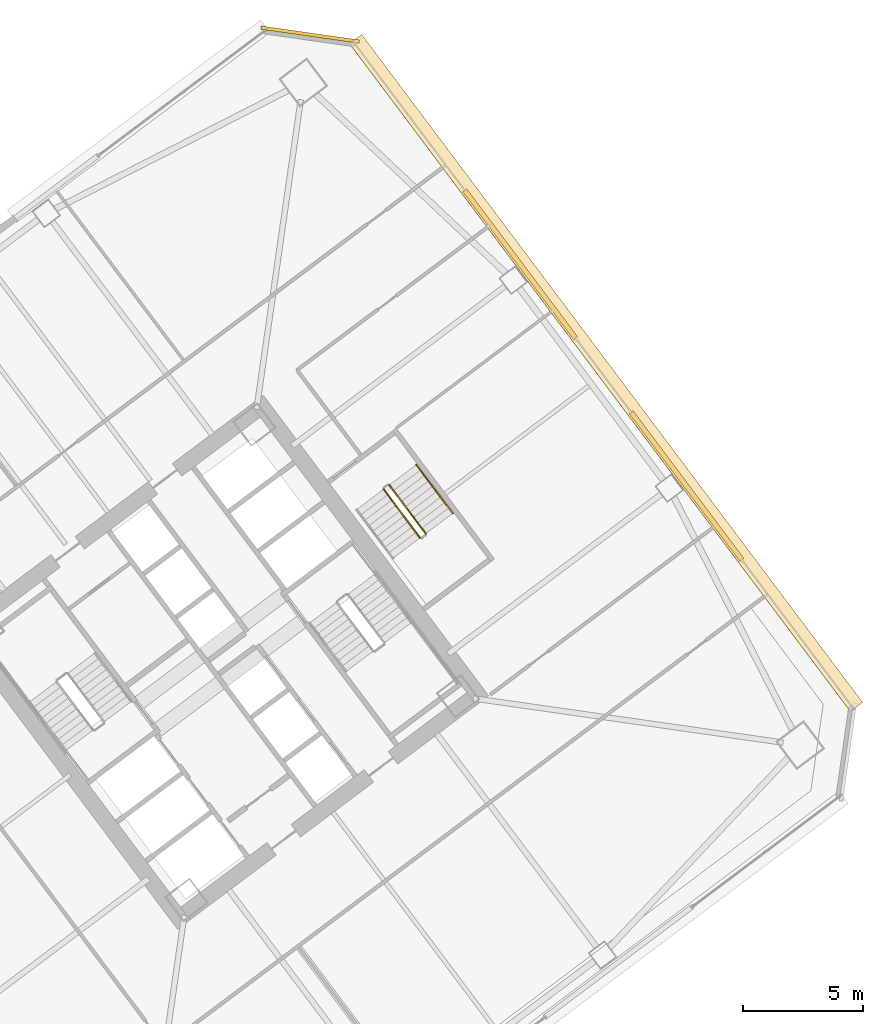
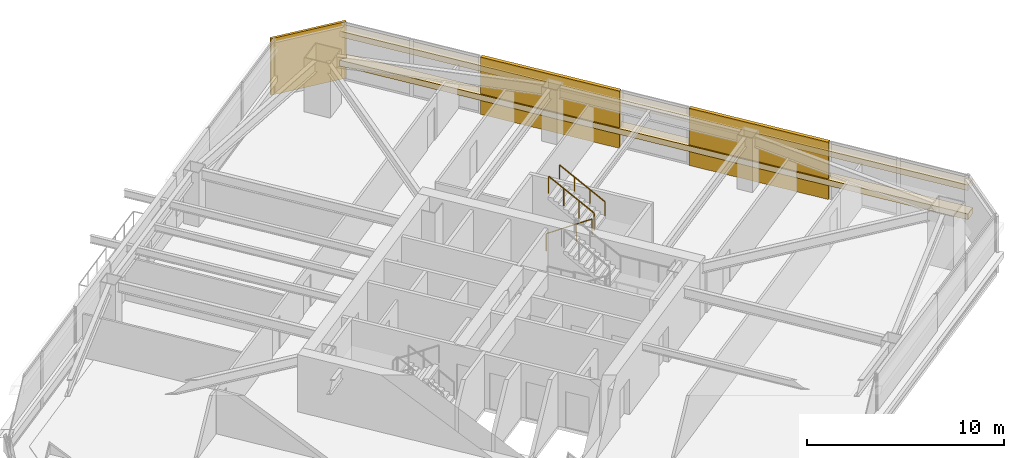
# One storey, part 44 of 44: 5 coverings, 3 railings.
"""IFC4 building model written with IfcOpenShell, lengths in metres."""

from ifc_helpers import new_model, si_unit, direction, frame, origin, origin_2d, place, context, subcontext, project, spatial, rectangle, extrude, material, layer, layer_set, type_object, element, save


model = new_model("IFC4")

# Units and contexts
model_context = context("Model", 3, precision=1e-05, world=origin(), true_north=direction((0.0, 1.0)))
body_context = subcontext(model_context, "Body", "Model", "MODEL_VIEW")
ifc_project = project(units=[si_unit("LENGTHUNIT", "METRE"), si_unit("AREAUNIT", "SQUARE_METRE"), si_unit("VOLUMEUNIT", "CUBIC_METRE"), si_unit("PLANEANGLEUNIT", "RADIAN"), si_unit("MASSUNIT", "GRAM", prefix="KILO")], contexts=[model_context])

# Site, building, storey
site_placement = place(None, origin())
site = spatial("IfcSite", under=ifc_project, at=site_placement, CompositionType="ELEMENT")
building_placement = place(site_placement, origin())
building = spatial("IfcBuilding", under=site, at=building_placement, Name="Tashvorn Skyway Center", CompositionType="ELEMENT")
storey_placement = place(building_placement, frame((0.0, 0.0, 92.050048828125)))
storey = spatial("IfcBuildingStorey", under=building, at=storey_placement, Name="L24", CompositionType="ELEMENT", Elevation=92.050048828125)

# Coverings
ifc_material_1 = material(Name="Precast concrete C40/50", Category="concrete")
ifc_layer_1 = layer(ifc_material_1, 0.199951171875)
ifc_layer_set_1 = layer_set([ifc_layer_1], Name="Precast concrete C40/50")
covering_type_1 = type_object("IfcCoveringType", Name="COV-BRACE-CLAD", PredefinedType="CLADDING", material=ifc_layer_set_1)
for number, where, z_axis, x_axis, name in (
    (1, (126.447998046875, 48.535888671875, 0.0), (0.0, 0.0, 1.0), (0.600000004945, -0.799999996291, 0.0), "Tower 2 L24 East Unitised Curtain Wall Mega-Brace Cladding Band 1"),
    (2, (133.360107421875, 39.320068359375, 0.0), (0.0, 0.0, 1.0), (0.600000004945, -0.799999996291, 0.0), "Tower 2 L24 East Unitised Curtain Wall Mega-Brace Cladding Band 2"),
):
    element("IfcCovering", number, at=place(storey_placement, frame(where, z_axis=z_axis, x_axis=x_axis)), inside=storey, type_object=covering_type_1, Name=name, PredefinedType="CLADDING", context=body_context, shape_type="SweptSolid", body=[
        extrude(rectangle(XDim=7.679931640625, YDim=0.199951171875, at=origin_2d()), origin(), (0.0, 0.0, 1.0), 3.550048828125),
    ])
ifc_material_2 = material(Name="Perforated ceramic-coated bronze aluminium solar screen", Category="aluminium")
ifc_layer_2 = layer(ifc_material_2, 0.85009765625)
ifc_layer_set_2 = layer_set([ifc_layer_2], Name="Perforated ceramic-coated bronze aluminium solar screen")
covering_type_2 = type_object("IfcCoveringType", Name="COV-SOLAR-BAND", PredefinedType="CLADDING", material=ifc_layer_set_2)
for number, where, z_axis, x_axis, name in (
    (3, (130.01611328125, 44.011962890625, 0.919921875), (0.0, 0.0, 1.0), (0.600000004945, -0.799999996291, 0.0), "L24 Perforated Ceramic-Metal Solar Screen Louvre Band East 1"),
    (4, (130.01611328125, 44.011962890625, 2.7197265625), (0.0, 0.0, 1.0), (0.600000004945, -0.799999996291, 0.0), "L24 Perforated Ceramic-Metal Solar Screen Louvre Band East 2"),
):
    element("IfcCovering", number, at=place(storey_placement, frame(where, z_axis=z_axis, x_axis=x_axis)), inside=storey, type_object=covering_type_2, Name=name, PredefinedType="CLADDING", context=body_context, shape_type="SweptSolid", body=[
        extrude(rectangle(XDim=34.679931640625, YDim=0.639892578125, at=origin_2d()), origin(), (0.0, 0.0, 1.0), 0.360107421875),
    ])
ifc_layer_3 = layer(ifc_material_1, 0.35009765625)
ifc_layer_set_3 = layer_set([ifc_layer_3], Name="Precast concrete C40/50")
covering_type_3 = type_object("IfcCoveringType", Name="COV-STONE-TRIM", PredefinedType="CLADDING", material=ifc_layer_set_3)
covering_placement = place(storey_placement, frame((117.72412109375, 58.068115234375, 0.02001953125), z_axis=(0.0, 0.0, 1.0), x_axis=(0.989949494535, -0.141421350118, 0.0)))
element("IfcCovering", 5, at=covering_placement, inside=storey, type_object=covering_type_3, Name="Tower 2 L24 NE Mojave Limestone Corner Quoin", PredefinedType="CLADDING", context=body_context, shape_type="SweptSolid", body=[
    extrude(rectangle(XDim=4.119873046875, YDim=0.139892578125, at=origin_2d()), origin(), (0.0, 0.0, 1.0), 3.510009765625),
])

# Railings
ifc_material_3 = material(Name="Brushed stainless steel 316", Category="steel")
railing_type_1 = type_object("IfcRailingType", Name="RAIL-HAND-920", PredefinedType="HANDRAIL", material=ifc_material_3)
railing_1_placement = place(storey_placement, frame((123.64794921875, 38.18603515625, 1.952392578125)))
element("IfcRailing", 6, at=railing_1_placement, inside=storey, type_object=railing_type_1, Name="L24 ST-T2-3 stair handrail 2", PredefinedType="HANDRAIL", context=body_context, shape_type="SweptSolid", body=[
    extrude(rectangle(XDim=0.048095703125, YDim=0.048095703125, at=origin_2d()), frame((0.0, 0.0, 0.8759765625), z_axis=(-0.50674661542, 0.675634878657, 0.535467439255), x_axis=(-0.79998837352, -0.60001550166, 0.0)), (0.0, 0.0, 1.0), 2.983642578125),
    extrude(rectangle(XDim=0.0419921875, YDim=0.0419921875, at=origin_2d()), origin(), (0.0, 0.0, 1.0), 0.851806640625),
    extrude(rectangle(XDim=0.0419921875, YDim=0.0419921875, at=origin_2d()), frame((-0.50390625, 0.671875, 0.532470703125)), (0.0, 0.0, 1.0), 0.851806640625),
    extrude(rectangle(XDim=0.0419921875, YDim=0.0419921875, at=origin_2d()), frame((-1.008056640625, 1.343994140625, 1.065185546875)), (0.0, 0.0, 1.0), 0.851806640625),
    extrude(rectangle(XDim=0.0419921875, YDim=0.0419921875, at=origin_2d()), frame((-1.511962890625, 2.015869140625, 1.59765625)), (0.0, 0.0, 1.0), 0.851806640625),
])
ifc_material_4 = material(Name="Painted galvanized steel S355", Category="steel")
railing_type_2 = type_object("IfcRailingType", Name="RAIL-STGUARD-1100", PredefinedType="GUARDRAIL", material=ifc_material_4)
railing_2_placement = place(storey_placement, frame((120.77587890625, 39.181884765625, 0.177490234375)))
element("IfcRailing", 7, at=railing_2_placement, inside=storey, type_object=railing_type_2, Name="L24 ST-T2-3 stair guard 1", PredefinedType="GUARDRAIL", context=body_context, shape_type="SweptSolid", body=[
    extrude(rectangle(XDim=0.048095703125, YDim=0.048095703125, at=origin_2d()), frame((0.0, 0.0, 1.076171875), z_axis=(0.506829628838, -0.67563646195, 0.535386868177), x_axis=(0.799941867976, 0.600077501544, 0.0)), (0.0, 0.0, 1.0), 2.983642578125),
    extrude(rectangle(XDim=0.0419921875, YDim=0.0419921875, at=origin_2d()), origin(), (0.0, 0.0, 1.0), 1.052001953125),
    extrude(rectangle(XDim=0.0419921875, YDim=0.0419921875, at=origin_2d()), frame((0.504150390625, -0.671875, 0.532470703125)), (0.0, 0.0, 1.0), 1.052001953125),
    extrude(rectangle(XDim=0.0419921875, YDim=0.0419921875, at=origin_2d()), frame((1.008056640625, -1.343994140625, 1.06494140625)), (0.0, 0.0, 1.0), 1.052001953125),
    extrude(rectangle(XDim=0.0419921875, YDim=0.0419921875, at=origin_2d()), frame((1.51220703125, -2.015869140625, 1.597412109375)), (0.0, 0.0, 1.0), 1.052001953125),
])
railing_3_placement = place(storey_placement, frame((122.528076171875, 37.345947265625, 1.952392578125)))
element("IfcRailing", 8, at=railing_3_placement, inside=storey, type_object=railing_type_2, Name="L24 ST-T2-3 stair guard 3", PredefinedType="GUARDRAIL", context=body_context, shape_type="SweptSolid", body=[
    extrude(rectangle(XDim=0.048095703125, YDim=0.048095703125, at=origin_2d()), frame((0.0, 0.0, 1.076171875), z_axis=(-0.506718600913, 0.675679348675, 0.535437836974), x_axis=(-0.800023250257, -0.599968998406, 0.0)), (0.0, 0.0, 1.0), 2.98388671875),
    extrude(rectangle(XDim=0.0419921875, YDim=0.0419921875, at=origin_2d()), origin(), (0.0, 0.0, 1.0), 1.052001953125),
    extrude(rectangle(XDim=0.0419921875, YDim=0.0419921875, at=origin_2d()), frame((-0.50390625, 0.672119140625, 0.532470703125)), (0.0, 0.0, 1.0), 1.052001953125),
    extrude(rectangle(XDim=0.0419921875, YDim=0.0419921875, at=origin_2d()), frame((-1.008056640625, 1.343994140625, 1.065185546875)), (0.0, 0.0, 1.0), 1.052001953125),
    extrude(rectangle(XDim=0.0419921875, YDim=0.0419921875, at=origin_2d()), frame((-1.511962890625, 2.01611328125, 1.59765625)), (0.0, 0.0, 1.0), 1.052001953125),
])

save(model, "model.ifc")
